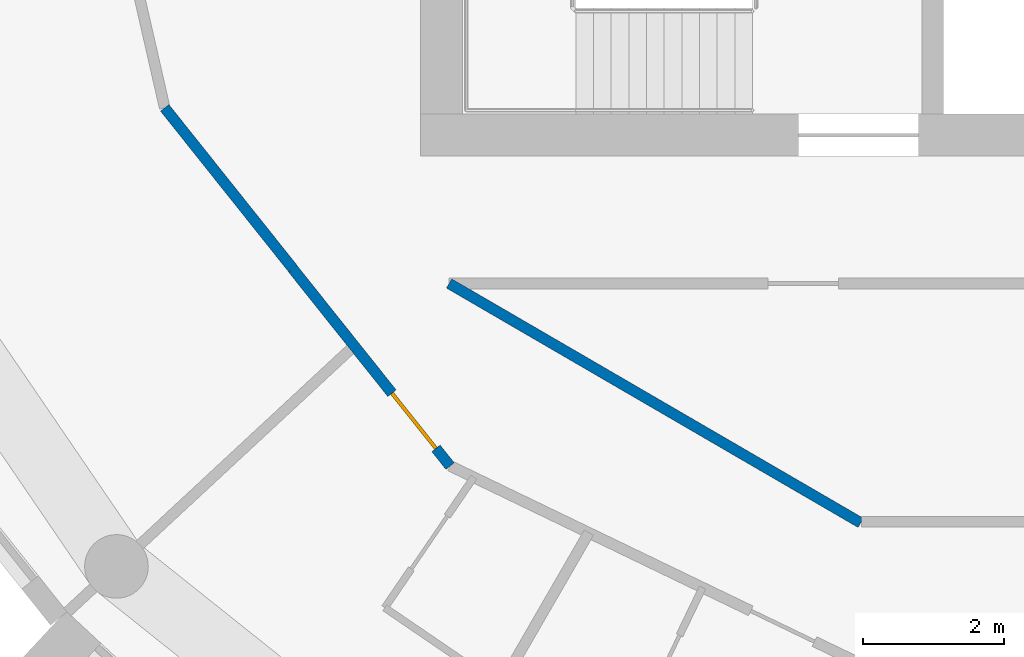
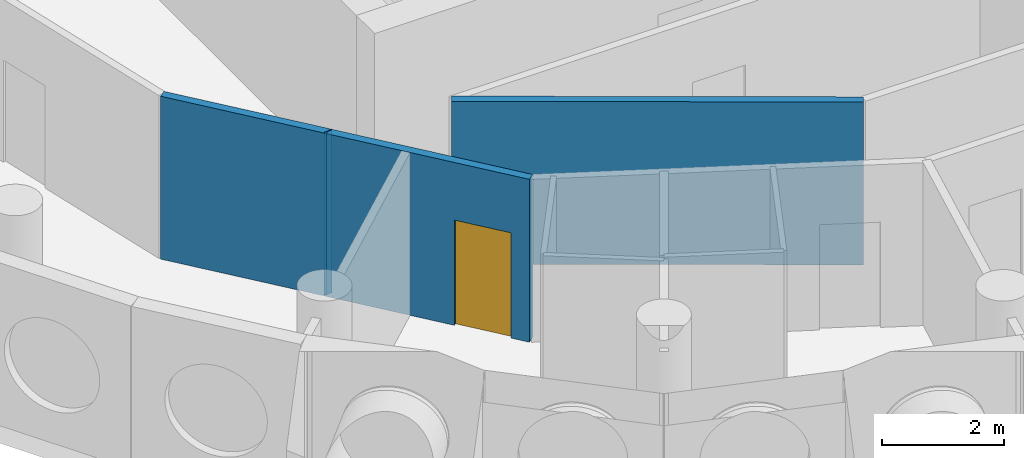
# One storey, part 3 of 13: 4 walls, 1 door, 1 opening.
"""IFC4 building model written with IfcOpenShell, lengths in metres."""

from ifc_helpers import new_model, si_unit, direction, frame, frame_2d, origin, place, context, subcontext, project, spatial, rectangle, extrude, material, layer, layer_set, type_object, element, fill, save


model = new_model("IFC4")

# Units and contexts
model_context = context("Model", 3, precision=1e-05, world=origin(), true_north=direction((0.0, 1.0)))
body_context = subcontext(model_context, "Body", "Model", "MODEL_VIEW")
ifc_project = project(units=[si_unit("LENGTHUNIT", "METRE"), si_unit("AREAUNIT", "SQUARE_METRE"), si_unit("VOLUMEUNIT", "CUBIC_METRE"), si_unit("PLANEANGLEUNIT", "RADIAN"), si_unit("MASSUNIT", "GRAM", prefix="KILO")], contexts=[model_context])

# Site, building, storey
site_placement = place(None, origin())
site = spatial("IfcSite", under=ifc_project, at=site_placement, CompositionType="ELEMENT")
building_placement = place(site_placement, origin())
building = spatial("IfcBuilding", under=site, at=building_placement, Name="Tracery Tower", CompositionType="ELEMENT")
storey_placement = place(building_placement, frame((0.0, 0.0, 294.60009765625)))
storey = spatial("IfcBuildingStorey", under=building, at=storey_placement, Name="L76", CompositionType="ELEMENT", Elevation=294.60009765625)

# Wall
ifc_material_1 = material(Name="Plasterboard on steel studs", Category="steel")
ifc_layer = layer(ifc_material_1, 0.14990234375)
ifc_layer_set = layer_set([ifc_layer], Name="Partition 150 corridor wall")
wall_type = type_object("IfcWallType", Name="Partition 150 corridor wall", PredefinedType="PARTITIONING", material=ifc_layer_set)
wall_1_placement = place(storey_placement, frame((-9.092041015625, -8.800048828125, 0.0), z_axis=(0.0, 0.0, 1.0), x_axis=(0.864470922103, -0.502682827277, 0.0)))
element("IfcWall", 1, at=wall_1_placement, inside=storey, type_object=wall_type, Name="Corridor wall RC7-011", PredefinedType="PARTITIONING", context=body_context, shape_type="SweptSolid", body=[
    extrude(rectangle(XDim=6.7353515625, YDim=0.14990234375, at=frame_2d((3.36767578125, 0.0))), origin(), (0.0, 0.0, 1.0), 3.25),
])

# Wall, opening, door
wall_2_placement = place(storey_placement, frame((-11.300048828125, -8.59619140625, 0.0), z_axis=(0.0, 0.0, 1.0), x_axis=(0.623390921228, -0.781910326911, 0.0)))
wall_2 = element("IfcWall", 2, at=wall_2_placement, inside=storey, type_object=wall_type, Name="Corridor wall RC7-014", PredefinedType="PARTITIONING", context=body_context, shape_type="SweptSolid", body=[
    extrude(rectangle(XDim=3.56396484375, YDim=0.14990234375, at=frame_2d((1.781982421875, 0.0))), origin(), (0.0, 0.0, 1.0), 3.25),
])
opening_placement = place(wall_2_placement, frame((2.243896484375, 0.0, 0.0)))
opening = element("IfcOpeningElement", 3, at=opening_placement, cuts=wall_2, Name="Opening RC7-16", PredefinedType="OPENING", context=body_context, shape_type="SweptSolid", body=[
    extrude(rectangle(XDim=1.0, YDim=2.10009765625, at=frame_2d((0.5, 1.050048828125))), frame((0.0, 0.074951171875, 0.0), z_axis=(0.0, -1.0, 0.0), x_axis=(1.0, 0.0, 0.0)), (0.0, 0.0, 1.0), 0.14990234375),
])
ifc_material_2 = material(Name="Timber door leaf", Category="wood")
door_type = type_object("IfcDoorType", Name="Door unit entrance 1000", OperationType="NOTDEFINED", PredefinedType="DOOR", material=ifc_material_2)
door_placement = place(opening_placement, origin())
door = element("IfcDoor", 4, at=door_placement, inside=storey, type_object=door_type, Name="Unit entrance door RC7-16", OperationType="SINGLE_SWING_LEFT", OverallHeight=2.10009765625, OverallWidth=1.0, PredefinedType="DOOR", context=body_context, shape_type="SweptSolid", body=[
    extrude(rectangle(XDim=1.0, YDim=2.10009765625, at=frame_2d((0.5, 1.050048828125))), frame((0.0, 0.02490234375, 0.0), z_axis=(0.0, -1.0, 0.0), x_axis=(1.0, 0.0, 0.0)), (0.0, 0.0, 1.0), 0.050048828125),
])
fill(opening, door)

# Walls
wall_3_placement = place(storey_placement, frame((-11.300048828125, -8.59619140625, 0.0), z_axis=(0.0, 0.0, 1.0), x_axis=(0.0, 1.0, 0.0)))
element("IfcWall", 5, at=wall_3_placement, inside=storey, type_object=wall_type, Name="Corridor wall RC7-016", PredefinedType="PARTITIONING", context=body_context, shape_type="SweptSolid", body=[
    extrude(rectangle(XDim=0.01025390625, YDim=0.14990234375, at=frame_2d((0.005126953125, 0.0))), origin(), (0.0, 0.0, 1.0), 3.25),
])
wall_4_placement = place(storey_placement, frame((-13.114990234375, -6.31591796875, 0.0), z_axis=(0.0, 0.0, 1.0), x_axis=(0.623446514299, -0.781866001185, 0.0)))
element("IfcWall", 6, at=wall_4_placement, inside=storey, type_object=wall_type, Name="Corridor wall RC7-032", PredefinedType="PARTITIONING", context=body_context, shape_type="SweptSolid", body=[
    extrude(rectangle(XDim=2.9111328125, YDim=0.14990234375, at=frame_2d((1.45556640625, 0.0))), origin(), (0.0, 0.0, 1.0), 3.25),
])

save(model, "model.ifc")
